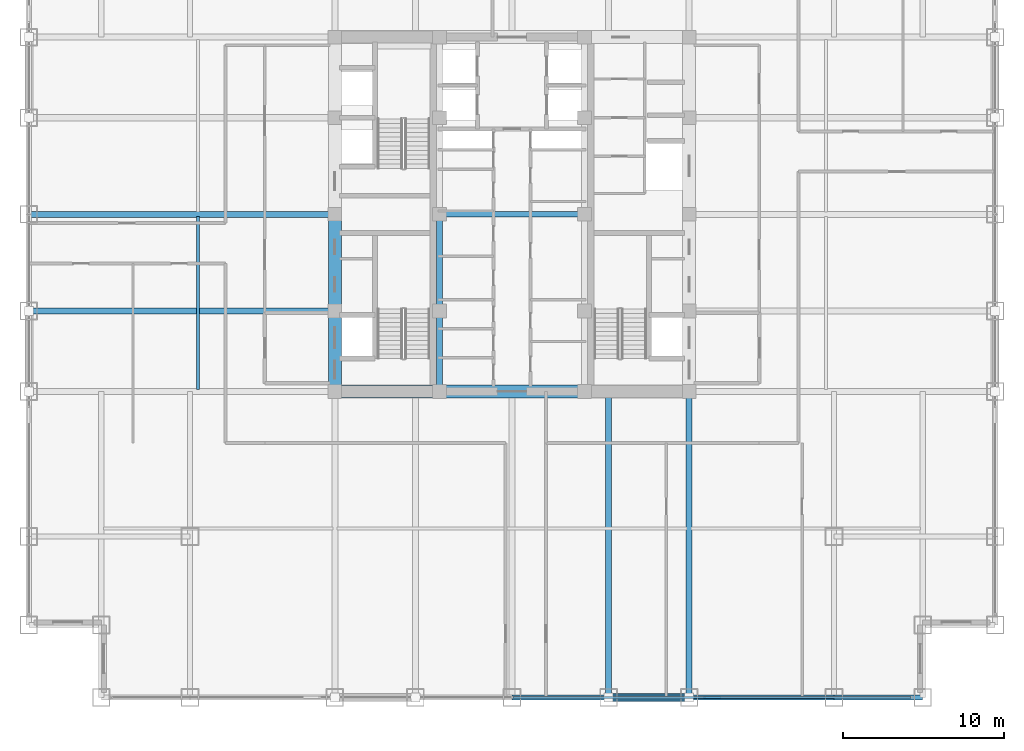
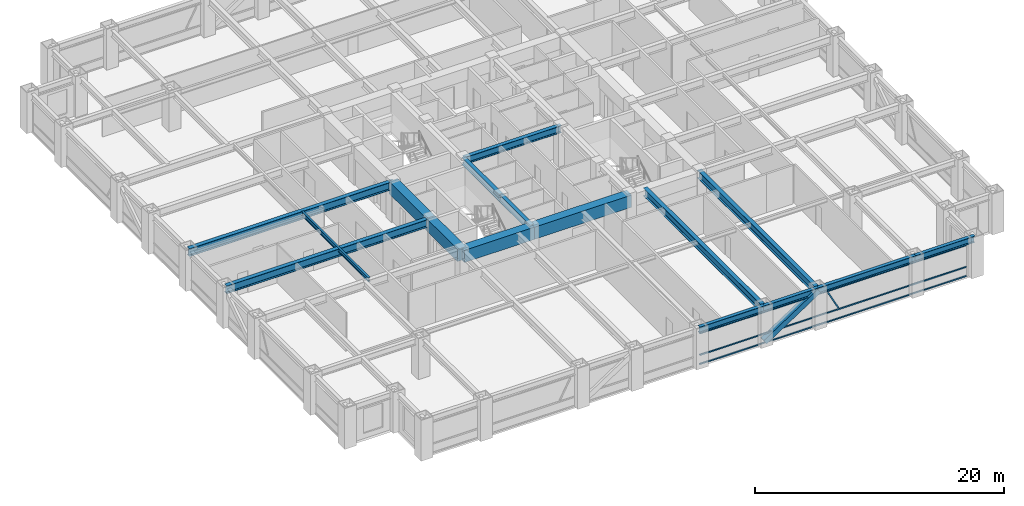
# One storey, part 7 of 25: 16 beams, 5 members, 1 element without a shape of its own.
"""IFC4 building model written with IfcOpenShell, lengths in metres."""

from ifc_helpers import new_model, si_unit, direction, frame, origin, origin_2d, place, context, subcontext, project, spatial, rectangle, hollow_rectangle, i_section, extrude, source, transform, mapped, material, material_profile, profile_set, type_object, element, aggregate, save


model = new_model("IFC4")

# Units and contexts
model_context = context("Model", 3, precision=1e-05, world=origin(), true_north=direction((0.0, 1.0)))
body_context = subcontext(model_context, "Body", "Model", "MODEL_VIEW")
ifc_project = project(units=[si_unit("LENGTHUNIT", "METRE"), si_unit("AREAUNIT", "SQUARE_METRE"), si_unit("VOLUMEUNIT", "CUBIC_METRE"), si_unit("PLANEANGLEUNIT", "RADIAN"), si_unit("MASSUNIT", "GRAM", prefix="KILO")], contexts=[model_context])

# Site, building, storey
site_placement = place(None, origin())
site = spatial("IfcSite", under=ifc_project, at=site_placement, CompositionType="ELEMENT")
building_placement = place(site_placement, origin())
building = spatial("IfcBuilding", under=site, at=building_placement, Name="Khorayat Bourse Tower", CompositionType="ELEMENT")
storey_placement = place(building_placement, frame((0.0, 0.0, 195.10009765625)))
storey = spatial("IfcBuildingStorey", under=building, at=storey_placement, Name="L45", CompositionType="ELEMENT", Elevation=195.10009765625)

# Beams
ifc_material_1 = material(Name="Concrete C72/90", Category="concrete")
ifc_material_profile_1 = material_profile(ifc_material_1, rectangle(XDim=0.800048828125, YDim=1.199951171875, at=origin_2d()), Name="RC 800x1200")
ifc_profile_set_1 = profile_set([ifc_material_profile_1], Name="Concrete C72/90")
beam_type_1 = type_object("IfcBeamType", Name="BM-COUP-1200", PredefinedType="BEAM", material=ifc_profile_set_1)
shared_shape_1 = source(origin(), body_context, "Body", "SweptSolid", [
    extrude(rectangle(XDim=0.800048828125, YDim=1.199951171875, at=origin_2d()), origin(), (0.0, 0.0, 1.0), 5.0),
])
beam_1_placement = place(storey_placement, frame((-11.0, -11.0, 3.179931640625), z_axis=(0.0, 1.0, 0.0), x_axis=(-1.0, 0.0, 0.0)))
element("IfcBeam", 1, at=beam_1_placement, inside=storey, type_object=beam_type_1, Name="L45 BM-COUP-1200 BM-L45-CRX-01", PredefinedType="BEAM", context=body_context, shape_type="MappedRepresentation", body=[
    mapped(shared_shape_1, transform((0.0, 0.0, 0.0), scale=1.0)),
])
shared_shape_2 = source(origin(), body_context, "Body", "SweptSolid", [
    extrude(rectangle(XDim=0.800048828125, YDim=1.199951171875, at=origin_2d()), origin(), (0.0, 0.0, 1.0), 6.0),
])
beam_2_placement = place(storey_placement, frame((-11.0, -6.0, 3.179931640625), z_axis=(0.0, 1.0, 0.0), x_axis=(-1.0, 0.0, 0.0)))
element("IfcBeam", 2, at=beam_2_placement, inside=storey, type_object=beam_type_1, Name="L45 BM-COUP-1200 BM-L45-CRX-02", PredefinedType="BEAM", context=body_context, shape_type="MappedRepresentation", body=[
    mapped(shared_shape_2, transform((0.0, 0.0, 0.0), scale=1.0)),
])
ifc_material_2 = material(Name="Steel ASTM A992 Grade 50", Category="steel")
ifc_material_profile_2 = material_profile(ifc_material_2, i_section(OverallWidth=0.35498046875, OverallDepth=0.695068359375, WebThickness=0.015380859375, FlangeThickness=0.02490234375, FilletRadius=0.01806640625, at=origin_2d()), Name="W690X217")
ifc_profile_set_2 = profile_set([ifc_material_profile_2], Name="Steel ASTM A992 Grade 50")
beam_type_2 = type_object("IfcBeamType", Name="BM-GIRD-690", PredefinedType="BEAM", material=ifc_profile_set_2)
shared_shape_3 = source(origin(), body_context, "Body", "SweptSolid", [
    extrude(i_section(OverallWidth=0.35498046875, OverallDepth=0.695068359375, WebThickness=0.015380859375, FlangeThickness=0.02490234375, FilletRadius=0.01806640625, at=origin_2d()), origin(), (0.0, 0.0, 1.0), 5.0),
])
beam_3_placement = place(storey_placement, frame((-4.5, -11.0, 3.432373046875), z_axis=(0.0, 1.0, 0.0), x_axis=(-1.0, 0.0, 0.0)))
element("IfcBeam", 3, at=beam_3_placement, inside=storey, type_object=beam_type_2, Name="L45 BM-GIRD-690 BM-L45-CRX-05", PredefinedType="BEAM", context=body_context, shape_type="MappedRepresentation", body=[
    mapped(shared_shape_3, transform((0.0, 0.0, 0.0), scale=1.0)),
])
shared_shape_4 = source(origin(), body_context, "Body", "SweptSolid", [
    extrude(i_section(OverallWidth=0.35498046875, OverallDepth=0.695068359375, WebThickness=0.015380859375, FlangeThickness=0.02490234375, FilletRadius=0.01806640625, at=origin_2d()), origin(), (0.0, 0.0, 1.0), 6.0),
])
beam_4_placement = place(storey_placement, frame((-4.5, -6.0, 3.432373046875), z_axis=(0.0, 1.0, 0.0), x_axis=(-1.0, 0.0, 0.0)))
element("IfcBeam", 4, at=beam_4_placement, inside=storey, type_object=beam_type_2, Name="L45 BM-GIRD-690 BM-L45-CRX-06", PredefinedType="BEAM", context=body_context, shape_type="MappedRepresentation", body=[
    mapped(shared_shape_4, transform((0.0, 0.0, 0.0), scale=1.0)),
])
shared_shape_5 = source(origin(), body_context, "Body", "SweptSolid", [
    extrude(rectangle(XDim=0.800048828125, YDim=1.199951171875, at=origin_2d()), origin(), (0.0, 0.0, 1.0), 6.5),
])
beam_5_placement = place(storey_placement, frame((-11.0, -11.0, 3.179931640625), z_axis=(1.0, 0.0, 0.0), x_axis=(0.0, 1.0, 0.0)))
element("IfcBeam", 5, at=beam_5_placement, inside=storey, type_object=beam_type_1, Name="L45 BM-COUP-1200 BM-L45-CRY-17", PredefinedType="BEAM", context=body_context, shape_type="MappedRepresentation", body=[
    mapped(shared_shape_5, transform((0.0, 0.0, 0.0), scale=1.0)),
])
shared_shape_6 = source(origin(), body_context, "Body", "SweptSolid", [
    extrude(rectangle(XDim=0.800048828125, YDim=1.199951171875, at=origin_2d()), origin(), (0.0, 0.0, 1.0), 9.0),
])
beam_6_placement = place(storey_placement, frame((-4.5, -11.0, 3.179931640625), z_axis=(1.0, 0.0, 0.0), x_axis=(0.0, 1.0, 0.0)))
element("IfcBeam", 6, at=beam_6_placement, inside=storey, type_object=beam_type_1, Name="L45 BM-COUP-1200 BM-L45-CRY-18", PredefinedType="BEAM", context=body_context, shape_type="MappedRepresentation", body=[
    mapped(shared_shape_6, transform((0.0, 0.0, 0.0), scale=1.0)),
])
shared_shape_7 = source(origin(), body_context, "Body", "SweptSolid", [
    extrude(i_section(OverallWidth=0.35498046875, OverallDepth=0.695068359375, WebThickness=0.015380859375, FlangeThickness=0.02490234375, FilletRadius=0.01806640625, at=origin_2d()), origin(), (0.0, 0.0, 1.0), 9.0),
])
beam_7_placement = place(storey_placement, frame((-4.5, 0.0, 3.432373046875), z_axis=(1.0, 0.0, 0.0), x_axis=(0.0, 1.0, 0.0)))
element("IfcBeam", 7, at=beam_7_placement, inside=storey, type_object=beam_type_2, Name="L45 BM-GIRD-690 BM-L45-CRY-23", PredefinedType="BEAM", context=body_context, shape_type="MappedRepresentation", body=[
    mapped(shared_shape_7, transform((0.0, 0.0, 0.0), scale=1.0)),
])
ifc_material_profile_3 = material_profile(ifc_material_2, i_section(OverallWidth=0.381103515625, OverallDepth=0.77294921875, WebThickness=0.0166015625, FlangeThickness=0.027587890625, FilletRadius=0.01806640625, at=origin_2d()), Name="W760X257")
ifc_profile_set_3 = profile_set([ifc_material_profile_3], Name="Steel ASTM A992 Grade 50")
beam_type_3 = type_object("IfcBeamType", Name="BM-GIRD-760", PredefinedType="BEAM", material=ifc_profile_set_3)
shared_shape_8 = source(origin(), body_context, "Body", "SweptSolid", [
    extrude(i_section(OverallWidth=0.381103515625, OverallDepth=0.77294921875, WebThickness=0.0166015625, FlangeThickness=0.027587890625, FilletRadius=0.01806640625, at=origin_2d()), origin(), (0.0, 0.0, 1.0), 19.0),
])
for number, where, z_axis, x_axis, name in (
    (8, (6.0, -30.0, 3.393310546875), (0.0, 1.0, 0.0), (-1.0, 0.0, 0.0), "L45 BM-GIRD-760 BM-L45-RADY-071"),
    (9, (11.0, -30.0, 3.393310546875), (0.0, 1.0, 0.0), (-1.0, 0.0, 0.0), "L45 BM-GIRD-760 BM-L45-RADY-073"),
    (10, (-30.0, -6.0, 3.393310546875), (1.0, 0.0, 0.0), (0.0, 1.0, 0.0), "L45 BM-GIRD-760 BM-L45-RADX-077"),
    (11, (-30.0, 0.0, 3.393310546875), (1.0, 0.0, 0.0), (0.0, 1.0, 0.0), "L45 BM-GIRD-760 BM-L45-RADX-079"),
):
    element("IfcBeam", number, at=place(storey_placement, frame(where, z_axis=z_axis, x_axis=x_axis)), inside=storey, type_object=beam_type_3, Name=name, PredefinedType="BEAM", context=body_context, shape_type="MappedRepresentation", body=[
        mapped(shared_shape_8, transform((0.0, 0.0, 0.0), scale=1.0)),
    ])
ifc_material_profile_4 = material_profile(ifc_material_2, i_section(OverallWidth=0.180908203125, OverallDepth=0.4169921875, WebThickness=0.010986328125, FlangeThickness=0.018310546875, FilletRadius=0.011962890625, at=origin_2d()), Name="W410X85")
ifc_profile_set_4 = profile_set([ifc_material_profile_4], Name="Steel ASTM A992 Grade 50")
beam_type_4 = type_object("IfcBeamType", Name="BM-JOIST-410", PredefinedType="JOIST", material=ifc_profile_set_4)
shared_shape_9 = source(origin(), body_context, "Body", "SweptSolid", [
    extrude(i_section(OverallWidth=0.180908203125, OverallDepth=0.4169921875, WebThickness=0.010986328125, FlangeThickness=0.018310546875, FilletRadius=0.011962890625, at=origin_2d()), origin(), (0.0, 0.0, 1.0), 10.740234375),
])
beam_8_placement = place(storey_placement, frame((-19.5, -10.8701171875, 3.5712890625), z_axis=(0.0, 1.0, 0.0), x_axis=(-1.0, 0.0, 0.0)))
element("IfcBeam", 12, at=beam_8_placement, inside=storey, type_object=beam_type_4, Name="L45 BM-JOIST-410 BM-L45-JSTY-102", PredefinedType="JOIST", context=body_context, shape_type="MappedRepresentation", body=[
    mapped(shared_shape_9, transform((0.0, 0.0, 0.0), scale=1.0)),
])
ifc_material_profile_5 = material_profile(ifc_material_2, i_section(OverallWidth=0.324951171875, OverallDepth=0.615966796875, WebThickness=0.013916015625, FlangeThickness=0.021484375, FilletRadius=0.01611328125, at=origin_2d()), Name="W610X174")
ifc_profile_set_5 = profile_set([ifc_material_profile_5], Name="Steel ASTM A992 Grade 50")
beam_type_5 = type_object("IfcBeamType", Name="BM-SPAN-610", PredefinedType="SPANDREL", material=ifc_profile_set_5)
shared_shape_10 = source(origin(), body_context, "Body", "SweptSolid", [
    extrude(i_section(OverallWidth=0.324951171875, OverallDepth=0.615966796875, WebThickness=0.013916015625, FlangeThickness=0.021484375, FilletRadius=0.01611328125, at=origin_2d()), origin(), (0.0, 0.0, 1.0), 5.5),
])
beam_9_placement = place(storey_placement, frame((20.0, -30.0, 3.471923828125), z_axis=(1.0, 0.0, 0.0), x_axis=(0.0, 1.0, 0.0)))
element("IfcBeam", 13, at=beam_9_placement, inside=storey, type_object=beam_type_5, Name="L45 BM-SPAN-610 BM-L45-SPN-031", PredefinedType="SPANDREL", context=body_context, shape_type="MappedRepresentation", body=[
    mapped(shared_shape_10, transform((0.0, 0.0, 0.0), scale=1.0)),
])
shared_shape_11 = source(origin(), body_context, "Body", "SweptSolid", [
    extrude(i_section(OverallWidth=0.324951171875, OverallDepth=0.615966796875, WebThickness=0.013916015625, FlangeThickness=0.021484375, FilletRadius=0.01611328125, at=origin_2d()), origin(), (0.0, 0.0, 1.0), 9.0),
])
beam_10_placement = place(storey_placement, frame((11.0, -30.0, 3.471923828125), z_axis=(1.0, 0.0, 0.0), x_axis=(0.0, 1.0, 0.0)))
element("IfcBeam", 14, at=beam_10_placement, inside=storey, type_object=beam_type_5, Name="L45 BM-SPAN-610 BM-L45-SPN-030", PredefinedType="SPANDREL", context=body_context, shape_type="MappedRepresentation", body=[
    mapped(shared_shape_11, transform((0.0, 0.0, 0.0), scale=1.0)),
])
shared_shape_12 = source(origin(), body_context, "Body", "SweptSolid", [
    extrude(i_section(OverallWidth=0.324951171875, OverallDepth=0.615966796875, WebThickness=0.013916015625, FlangeThickness=0.021484375, FilletRadius=0.01611328125, at=origin_2d()), origin(), (0.0, 0.0, 1.0), 5.0),
])
beam_11_placement = place(storey_placement, frame((6.0, -30.0, 3.471923828125), z_axis=(1.0, 0.0, 0.0), x_axis=(0.0, 1.0, 0.0)))
element("IfcBeam", 15, at=beam_11_placement, inside=storey, type_object=beam_type_5, Name="L45 BM-SPAN-610 BM-L45-SPN-029", PredefinedType="SPANDREL", context=body_context, shape_type="MappedRepresentation", body=[
    mapped(shared_shape_12, transform((0.0, 0.0, 0.0), scale=1.0)),
])
shared_shape_13 = source(origin(), body_context, "Body", "SweptSolid", [
    extrude(i_section(OverallWidth=0.324951171875, OverallDepth=0.615966796875, WebThickness=0.013916015625, FlangeThickness=0.021484375, FilletRadius=0.01611328125, at=origin_2d()), origin(), (0.0, 0.0, 1.0), 6.0),
])
beam_12_placement = place(storey_placement, frame((0.0, -30.0, 3.471923828125), z_axis=(1.0, 0.0, 0.0), x_axis=(0.0, 1.0, 0.0)))
element("IfcBeam", 16, at=beam_12_placement, inside=storey, type_object=beam_type_5, Name="L45 BM-SPAN-610 BM-L45-SPN-028", PredefinedType="SPANDREL", context=body_context, shape_type="MappedRepresentation", body=[
    mapped(shared_shape_13, transform((0.0, 0.0, 0.0), scale=1.0)),
])

# Member
ifc_material_3 = material(Name="Steel EN 10025-4 S460M", Category="steel")
ifc_material_profile_6 = material_profile(ifc_material_3, hollow_rectangle(XDim=0.5, YDim=0.5, WallThickness=0.028076171875, at=origin_2d()), Name="HSS 500x500x28")
ifc_profile_set_6 = profile_set([ifc_material_profile_6], Name="Steel EN 10025-4 S460M")
member_type_1 = type_object("IfcMemberType", Name="MBR-TUBE-500", PredefinedType="BRACE", material=ifc_profile_set_6)
shared_shape_14 = source(origin(), body_context, "Body", "SweptSolid", [
    extrude(hollow_rectangle(XDim=0.5, YDim=0.5, WallThickness=0.028076171875, at=origin_2d()), origin(), (0.0, 0.0, 1.0), 5.979736328125),
])
member_1_placement = place(storey_placement, frame((6.0, -30.0, 0.25), z_axis=(0.836160261256, 0.0, 0.548485202623), x_axis=(0.0, 1.0, 0.0)))
element("IfcMember", 17, at=member_1_placement, inside=storey, type_object=member_type_1, Name="L45 Perimeter Tube Brace 02", PredefinedType="BRACE", context=body_context, shape_type="MappedRepresentation", body=[
    mapped(shared_shape_14, transform((0.0, 0.0, 0.0), scale=1.0)),
])

# Curtain wall, members
ifc_material_4 = material(Name="Aluminium EN AW-6063 T6", Category="aluminium")
curtain_wall_type = type_object("IfcCurtainWallType", Name="CW-SYS-03", PredefinedType="NOTDEFINED", material=ifc_material_4)
curtain_wall_placement = place(storey_placement, origin())
curtain_wall = element("IfcCurtainWall", 18, at=curtain_wall_placement, inside=storey, type_object=curtain_wall_type, Name="L45 Curtain Wall CW-L45-S1", PredefinedType="NOTDEFINED")
ifc_material_profile_7 = material_profile(ifc_material_4, hollow_rectangle(XDim=0.1201171875, YDim=0.1201171875, WallThickness=0.0048828125, at=origin_2d()), Name="ALU 120x120x5")
ifc_profile_set_7 = profile_set([ifc_material_profile_7], Name="Aluminium EN AW-6063 T6")
member_type_2 = type_object("IfcMemberType", Name="CWM-DIAG-120", PredefinedType="MULLION", material=ifc_profile_set_7)
shared_shape_15 = source(origin(), body_context, "Body", "SweptSolid", [
    extrude(hollow_rectangle(XDim=0.1201171875, YDim=0.1201171875, WallThickness=0.0048828125, at=origin_2d()), origin(), (0.0, 0.0, 1.0), 2.079345703125),
])
member_2_placement = place(storey_placement, frame((12.904296875, -30.0, 1.08984375), z_axis=(-0.465760949701, 0.0, 0.884910581773), x_axis=(0.0, -1.0, 0.0)))
member_2 = element("IfcMember", 19, at=member_2_placement, type_object=member_type_2, Name="CW-L45-S1 Faceted Diagonal Mullion 2", PredefinedType="MULLION", context=body_context, shape_type="MappedRepresentation", body=[
    mapped(shared_shape_15, transform((0.0, 0.0, 0.0), scale=1.0)),
])
ifc_material_profile_8 = material_profile(ifc_material_4, hollow_rectangle(XDim=0.1201171875, YDim=0.1201171875, WallThickness=0.0048828125, at=origin_2d()), Name="ALU 120x120x5")
ifc_profile_set_8 = profile_set([ifc_material_profile_8], Name="Aluminium EN AW-6063 T6")
member_type_3 = type_object("IfcMemberType", Name="CWT-HORZ-120", PredefinedType="USERDEFINED", material=ifc_profile_set_8)
shared_shape_16 = source(origin(), body_context, "Body", "SweptSolid", [
    extrude(hollow_rectangle(XDim=0.1201171875, YDim=0.1201171875, WallThickness=0.0048828125, at=origin_2d()), origin(), (0.0, 0.0, 1.0), 24.719970703125),
])
member_3_placement = place(storey_placement, frame((0.06005859375, -30.0, 0.059814453125), z_axis=(1.0, 0.0, 0.0), x_axis=(0.0, 1.0, 0.0)))
member_3 = element("IfcMember", 20, at=member_3_placement, type_object=member_type_3, Name="CW-L45-S1 Horizontal Transom 2-1", ObjectType="TRANSOM", PredefinedType="USERDEFINED", context=body_context, shape_type="MappedRepresentation", body=[
    mapped(shared_shape_16, transform((0.0, 0.0, 0.0), scale=1.0)),
])
member_4_placement = place(storey_placement, frame((0.06005859375, -30.0, 0.949951171875), z_axis=(1.0, 0.0, 0.0), x_axis=(0.0, 1.0, 0.0)))
member_4 = element("IfcMember", 21, at=member_4_placement, type_object=member_type_3, Name="CW-L45-S1 Horizontal Transom 2-2", ObjectType="TRANSOM", PredefinedType="USERDEFINED", context=body_context, shape_type="MappedRepresentation", body=[
    mapped(shared_shape_16, transform((0.0, 0.0, 0.0), scale=1.0)),
])
member_5_placement = place(storey_placement, frame((0.06005859375, -30.0, 3.06982421875), z_axis=(1.0, 0.0, 0.0), x_axis=(0.0, 1.0, 0.0)))
member_5 = element("IfcMember", 22, at=member_5_placement, type_object=member_type_3, Name="CW-L45-S1 Horizontal Transom 2-3", ObjectType="TRANSOM", PredefinedType="USERDEFINED", context=body_context, shape_type="MappedRepresentation", body=[
    mapped(shared_shape_16, transform((0.0, 0.0, 0.0), scale=1.0)),
])
aggregate(curtain_wall, [member_3, member_4, member_5, member_2])

save(model, "model.ifc")
